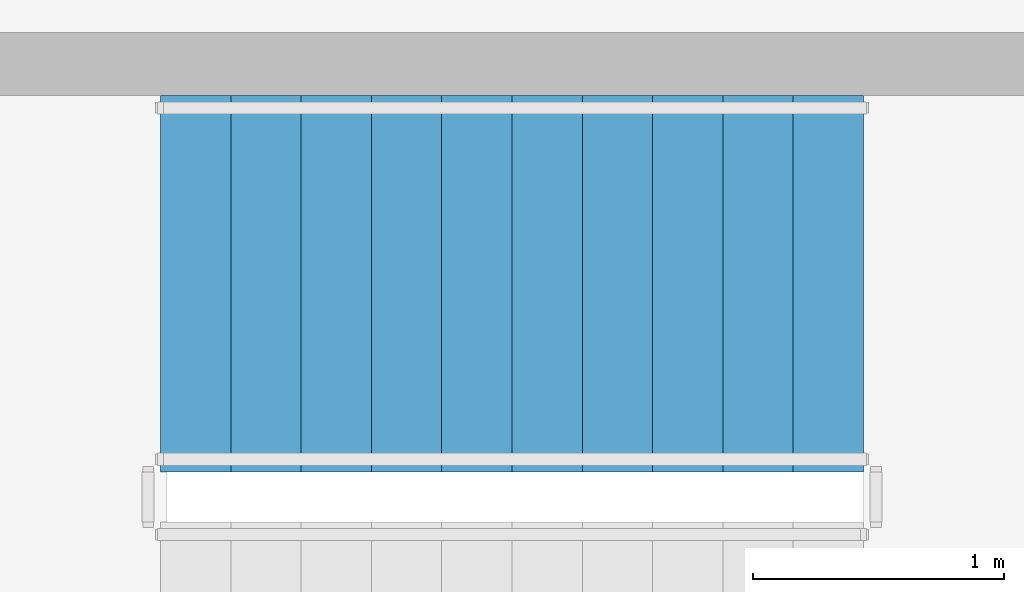
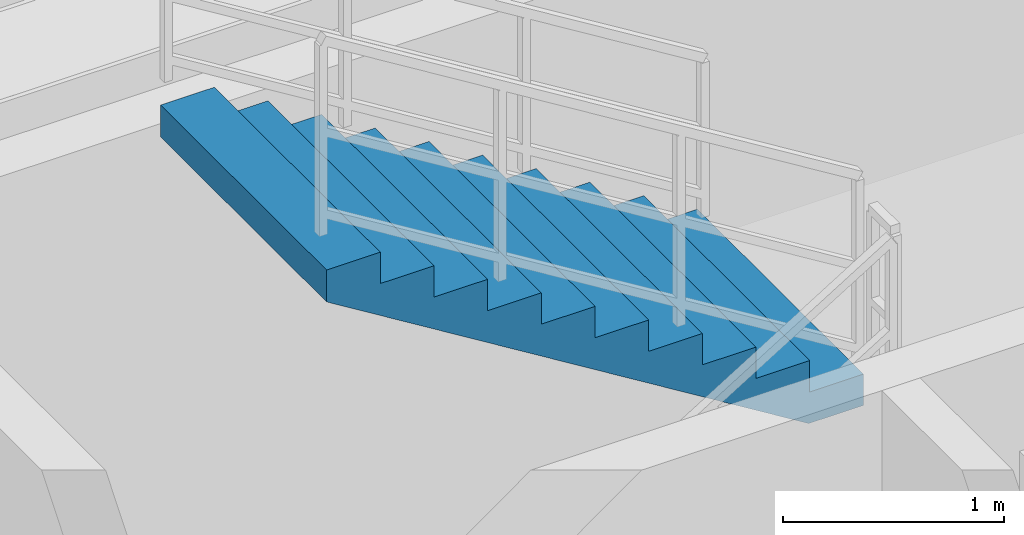
# One storey, part 6 of 11: 1 stair flight, 1 element without a shape of its own.
"""IFC4 building model written with IfcOpenShell, lengths in metres."""

from ifc_helpers import new_model, si_unit, direction, frame, origin, place, context, subcontext, project, spatial, polyline, outline, extrude, material, type_object, element, aggregate, save


model = new_model("IFC4")

# Units and contexts
model_context = context("Model", 3, precision=1e-05, world=origin(), true_north=direction((0.0, 1.0)))
body_context = subcontext(model_context, "Body", "Model", "MODEL_VIEW")
ifc_project = project(units=[si_unit("LENGTHUNIT", "METRE"), si_unit("AREAUNIT", "SQUARE_METRE"), si_unit("VOLUMEUNIT", "CUBIC_METRE"), si_unit("PLANEANGLEUNIT", "RADIAN"), si_unit("MASSUNIT", "GRAM", prefix="KILO")], contexts=[model_context])

# Site, building, storey
site_placement = place(None, origin())
site = spatial("IfcSite", under=ifc_project, at=site_placement, CompositionType="ELEMENT")
building_placement = place(site_placement, origin())
building = spatial("IfcBuilding", under=site, at=building_placement, Name="Zulverin Broadcast Headquarters", CompositionType="ELEMENT")
storey_placement = place(building_placement, frame((0.0, 0.0, 28.800048828125)))
storey = spatial("IfcBuildingStorey", under=building, at=storey_placement, Name="L06", CompositionType="ELEMENT", Elevation=28.800048828125)

# Stair, stair flight
ifc_material = material(Name="Concrete C40/50", Category="concrete")
stair_type = type_object("IfcStairType", Name="ST-CORE-1500", PredefinedType="HALF_TURN_STAIR", material=ifc_material)
stair_placement = place(storey_placement, origin())
stair = element("IfcStair", 1, at=stair_placement, inside=storey, type_object=stair_type, Name="L06 Core Exit Stair ST-1", PredefinedType="HALF_TURN_STAIR")
stair_flight_type = type_object("IfcStairFlightType", Name="SF-CORE-1500", PredefinedType="STRAIGHT", material=ifc_material)
stair_flight_placement = place(storey_placement, frame((42.929931640625, 31.5, 1.89990234375), z_axis=(0.0, 0.0, 1.0), x_axis=(-1.0, 0.0, 0.0)))
stair_flight = element("IfcStairFlight", 2, at=stair_flight_placement, type_object=stair_flight_type, Name="ST-1 flight 2", NumberOfRisers=11, NumberOfTreads=10, PredefinedType="STRAIGHT", RiserHeight=0.172727273, TreadLength=0.28, context=body_context, shape_type="SweptSolid", body=[
    extrude(outline(polyline([(0.0, 0.0), (0.0, 0.172607421875), (0.280029296875, 0.172607421875), (0.280029296875, 0.345458984375), (0.56005859375, 0.345458984375), (0.56005859375, 0.51806640625), (0.840087890625, 0.51806640625), (0.840087890625, 0.69091796875), (1.1201171875, 0.69091796875), (1.1201171875, 0.863525390625), (1.39990234375, 0.863525390625), (1.39990234375, 1.036376953125), (1.679931640625, 1.036376953125), (1.679931640625, 1.208984375), (1.9599609375, 1.208984375), (1.9599609375, 1.3818359375), (2.239990234375, 1.3818359375), (2.239990234375, 1.554443359375), (2.52001953125, 1.554443359375), (2.52001953125, 1.727294921875), (2.800048828125, 1.727294921875), (2.800048828125, 1.89990234375), (2.800048828125, 1.551025390625), (0.285400390625, 0.0), (0.0, 0.0)])), frame((0.0, 0.75, 0.0), z_axis=(0.0, -1.0, 0.0), x_axis=(1.0, 0.0, 0.0)), (0.0, 0.0, 1.0), 1.5),
])
aggregate(stair, [stair_flight])

save(model, "model.ifc")
